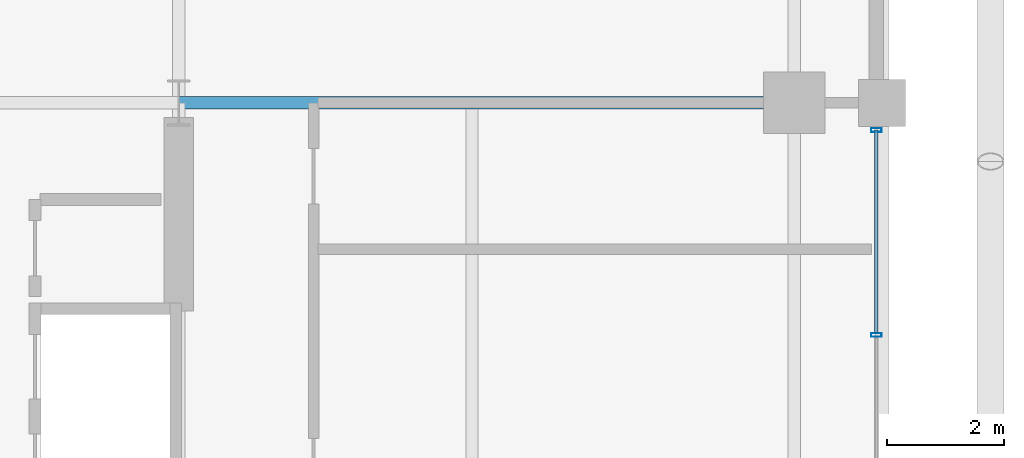
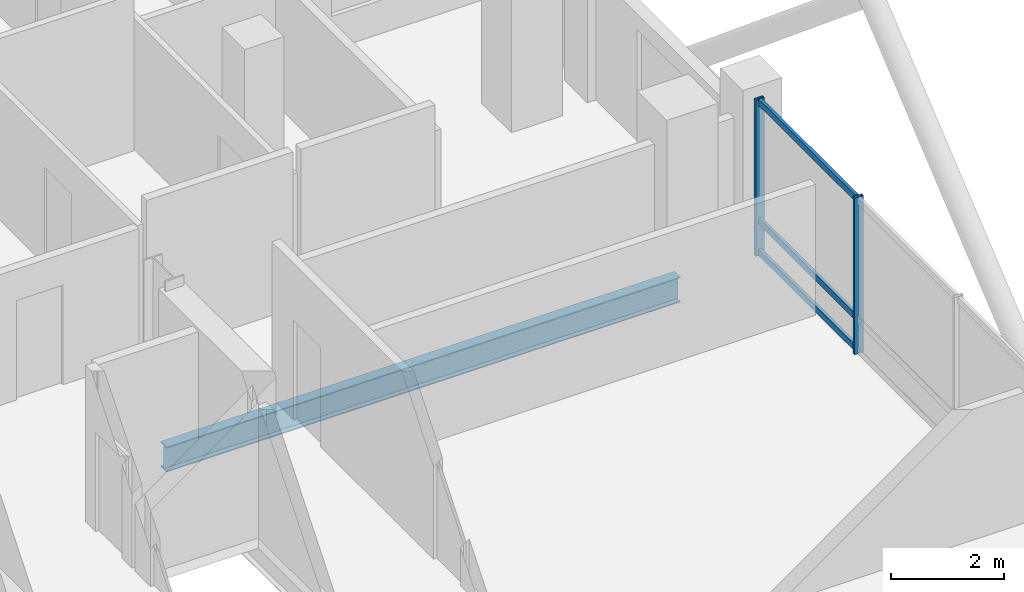
# One storey, part 13 of 26: 5 members, 1 beam, 1 element without a shape of its own.
"""IFC4 building model written with IfcOpenShell, lengths in metres."""

from ifc_helpers import new_model, si_unit, direction, frame, origin, origin_2d, place, context, subcontext, project, spatial, hollow_rectangle, i_section, extrude, material, layer, layer_set, material_profile, profile_set, type_object, element, aggregate, save


model = new_model("IFC4")

# Units and contexts
model_context = context("Model", 3, precision=1e-05, world=origin(), true_north=direction((0.0, 1.0)))
body_context = subcontext(model_context, "Body", "Model", "MODEL_VIEW")
ifc_project = project(units=[si_unit("LENGTHUNIT", "METRE"), si_unit("AREAUNIT", "SQUARE_METRE"), si_unit("VOLUMEUNIT", "CUBIC_METRE"), si_unit("PLANEANGLEUNIT", "RADIAN"), si_unit("MASSUNIT", "GRAM", prefix="KILO")], contexts=[model_context])

# Site, building, storey
site_placement = place(None, origin())
site = spatial("IfcSite", under=ifc_project, at=site_placement, CompositionType="ELEMENT")
building_placement = place(site_placement, origin())
building = spatial("IfcBuilding", under=site, at=building_placement, Name="Barlavira Tower and Art Museum", CompositionType="ELEMENT")
storey_placement = place(building_placement, frame((0.0, 0.0, 187.199951171875)))
storey = spatial("IfcBuildingStorey", under=building, at=storey_placement, Name="L48", CompositionType="ELEMENT", Elevation=187.199951171875)

# Curtain wall, members
ifc_material_1 = material(Name="Low-iron coastal laminated glass", Category="glass")
ifc_layer = layer(ifc_material_1, 0.199951171875, Name="Low-iron coastal laminated glass")
ifc_layer_set = layer_set([ifc_layer], Name="Low-iron coastal laminated glass")
curtain_wall_type = type_object("IfcCurtainWallType", Name="Pale-Metal Unitised Curtain Wall Zone 3", PredefinedType="NOTDEFINED", material=ifc_layer_set)
curtain_wall_placement = place(storey_placement, origin())
curtain_wall = element("IfcCurtainWall", 1, at=curtain_wall_placement, inside=storey, type_object=curtain_wall_type, Name="L48 Curtain Wall CW3-L48-E-B3", PredefinedType="NOTDEFINED")
ifc_material_2 = material(Name="Pale anodised aluminium", Category="aluminium")
ifc_material_profile_1 = material_profile(ifc_material_2, hollow_rectangle(XDim=0.06494140625, YDim=0.179931640625, WallThickness=0.00390625, at=origin_2d()), Name="ALU-MULL 65x180x4")
ifc_profile_set_1 = profile_set([ifc_material_profile_1], Name="Pale anodised aluminium")
member_type_1 = type_object("IfcMemberType", Name="Curtain Wall Pale-Metal Mullion 65x180", PredefinedType="MULLION", material=ifc_profile_set_1)
member_1_placement = place(storey_placement, frame((18.39990234375, 3.5400390625, 0.0), z_axis=(0.0, 0.0, 1.0), x_axis=(0.0, 1.0, 0.0)))
member_1 = element("IfcMember", 2, at=member_1_placement, type_object=member_type_1, Name="CW3-L48-E-B3 Mullion 3", PredefinedType="MULLION", context=body_context, shape_type="SweptSolid", body=[
    extrude(hollow_rectangle(XDim=0.06494140625, YDim=0.179931640625, WallThickness=0.00390625, at=origin_2d()), origin(), (0.0, 0.0, 1.0), 3.380126953125),
])
member_2_placement = place(storey_placement, frame((18.39990234375, 7.034912109375, 0.0), z_axis=(0.0, 0.0, 1.0), x_axis=(0.0, 1.0, 0.0)))
member_2 = element("IfcMember", 3, at=member_2_placement, type_object=member_type_1, Name="CW3-L48-E-B3 Mullion 4", PredefinedType="MULLION", context=body_context, shape_type="SweptSolid", body=[
    extrude(hollow_rectangle(XDim=0.06494140625, YDim=0.179931640625, WallThickness=0.00390625, at=origin_2d()), origin(), (0.0, 0.0, 1.0), 3.380126953125),
])
ifc_material_profile_2 = material_profile(ifc_material_2, hollow_rectangle(XDim=0.06494140625, YDim=0.139892578125, WallThickness=0.00390625, at=origin_2d()), Name="ALU-TRAN 65x140x4")
ifc_profile_set_2 = profile_set([ifc_material_profile_2], Name="Pale anodised aluminium")
member_type_2 = type_object("IfcMemberType", Name="Curtain Wall Pale-Metal Transom 65x140", PredefinedType="USERDEFINED", material=ifc_profile_set_2)
member_3_placement = place(storey_placement, frame((18.39990234375, 3.5849609375, 0.070068359375), z_axis=(0.0, 1.0, 0.0), x_axis=(-1.0, 0.0, 0.0)))
member_3 = element("IfcMember", 4, at=member_3_placement, type_object=member_type_2, Name="CW3-L48-E-B3 Transom 3.1", ObjectType="TRANSOM", PredefinedType="USERDEFINED", context=body_context, shape_type="SweptSolid", body=[
    extrude(hollow_rectangle(XDim=0.06494140625, YDim=0.139892578125, WallThickness=0.00390625, at=origin_2d()), origin(), (0.0, 0.0, 1.0), 3.449951171875),
])
member_4_placement = place(storey_placement, frame((18.39990234375, 3.5849609375, 0.744140625), z_axis=(0.0, 1.0, 0.0), x_axis=(-1.0, 0.0, 0.0)))
member_4 = element("IfcMember", 5, at=member_4_placement, type_object=member_type_2, Name="CW3-L48-E-B3 Transom 3.2", ObjectType="TRANSOM", PredefinedType="USERDEFINED", context=body_context, shape_type="SweptSolid", body=[
    extrude(hollow_rectangle(XDim=0.06494140625, YDim=0.139892578125, WallThickness=0.00390625, at=origin_2d()), origin(), (0.0, 0.0, 1.0), 3.449951171875),
])
member_5_placement = place(storey_placement, frame((18.39990234375, 3.5849609375, 3.31005859375), z_axis=(0.0, 1.0, 0.0), x_axis=(-1.0, 0.0, 0.0)))
member_5 = element("IfcMember", 6, at=member_5_placement, type_object=member_type_2, Name="CW3-L48-E-B3 Transom 3.3", ObjectType="TRANSOM", PredefinedType="USERDEFINED", context=body_context, shape_type="SweptSolid", body=[
    extrude(hollow_rectangle(XDim=0.06494140625, YDim=0.139892578125, WallThickness=0.00390625, at=origin_2d()), origin(), (0.0, 0.0, 1.0), 3.449951171875),
])
aggregate(curtain_wall, [member_1, member_2, member_3, member_4, member_5])

# Beam
ifc_material_3 = material(Name="Steel S355", Category="steel")
ifc_material_profile_3 = material_profile(ifc_material_3, i_section(OverallWidth=0.2109375, OverallDepth=0.5390625, WebThickness=0.01171875, FlangeThickness=0.018798828125, at=origin_2d()), Name="W530x109.0")
ifc_profile_set_3 = profile_set([ifc_material_profile_3], Name="Steel S355")
beam_type = type_object("IfcBeamType", Name="Zone 3-4 Primary Floor Girder W530x109 Steel S355", PredefinedType="BEAM", material=ifc_profile_set_3)
beam_placement = place(storey_placement, frame((6.5, 7.5, -0.489501953125), z_axis=(1.0, 0.0, 0.0), x_axis=(0.0, 1.0, 0.0)))
element("IfcBeam", 7, at=beam_placement, inside=storey, type_object=beam_type, Name="L48 Girder R-E2", PredefinedType="BEAM", context=body_context, shape_type="SweptSolid", body=[
    extrude(i_section(OverallWidth=0.2109375, OverallDepth=0.5390625, WebThickness=0.01171875, FlangeThickness=0.018798828125, at=origin_2d()), origin(), (0.0, 0.0, 1.0), 10.5),
])

save(model, "model.ifc")
